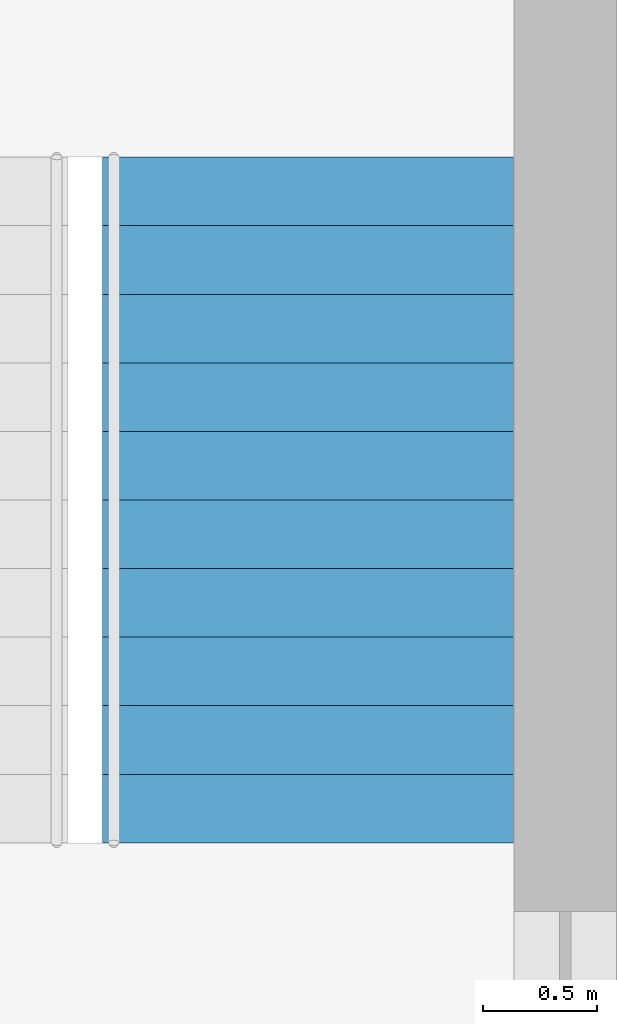
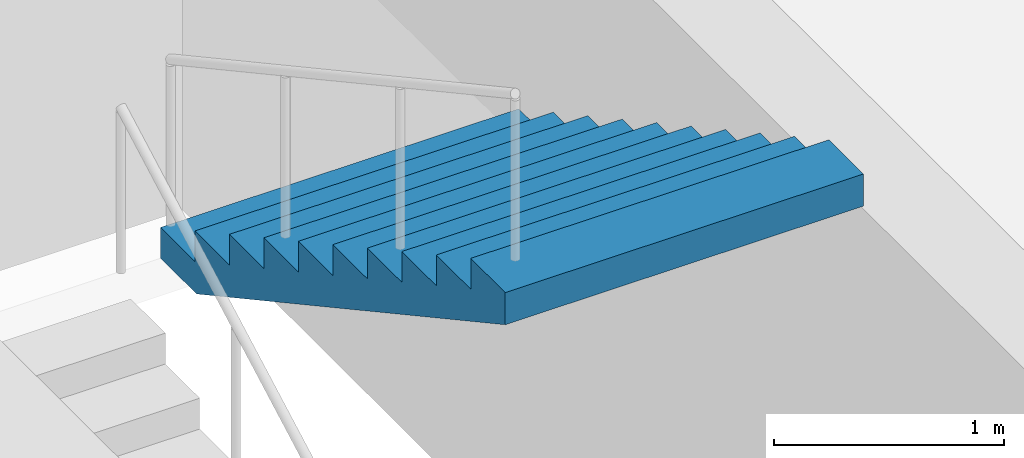
# One storey, part 16 of 17: 1 stair flight, 1 element without a shape of its own.
"""IFC4 building model written with IfcOpenShell, lengths in metres."""

from ifc_helpers import new_model, si_unit, direction, frame, origin, place, context, subcontext, project, spatial, polyline, outline, extrude, material, type_object, element, aggregate, save


model = new_model("IFC4")

# Units and contexts
model_context = context("Model", 3, precision=1e-05, world=origin(), true_north=direction((0.0, 1.0)))
body_context = subcontext(model_context, "Body", "Model", "MODEL_VIEW")
ifc_project = project(units=[si_unit("LENGTHUNIT", "METRE"), si_unit("AREAUNIT", "SQUARE_METRE"), si_unit("VOLUMEUNIT", "CUBIC_METRE"), si_unit("PLANEANGLEUNIT", "RADIAN"), si_unit("MASSUNIT", "GRAM", prefix="KILO")], contexts=[model_context])

# Site, building, storey
site_placement = place(None, origin())
site = spatial("IfcSite", under=ifc_project, at=site_placement, CompositionType="ELEMENT")
building_placement = place(site_placement, origin())
building = spatial("IfcBuilding", under=site, at=building_placement, Name="Dunama Terrace Hotel", CompositionType="ELEMENT")
storey_placement = place(building_placement, frame((0.0, 0.0, 63.0)))
storey = spatial("IfcBuildingStorey", under=building, at=storey_placement, Name="L15", CompositionType="ELEMENT", Elevation=63.0)

# Stair, stair flight
ifc_material_1 = material(Name="Concrete C40/50", Category="concrete")
stair_type = type_object("IfcStairType", Name="Stair ST1-3600-1800", PredefinedType="HALF_TURN_STAIR", material=ifc_material_1)
stair_placement = place(storey_placement, origin())
stair = element("IfcStair", 1, at=stair_placement, inside=storey, type_object=stair_type, Name="Stair ST1 L15", PredefinedType="HALF_TURN_STAIR")
ifc_material_2 = material(Name="Concrete C40/50", Category="concrete")
stair_flight_type = type_object("IfcStairFlightType", Name="Stair flight ST1-3600-1800", PredefinedType="STRAIGHT", material=ifc_material_2)
stair_flight_placement = place(storey_placement, frame((28.27490234375, 38.625, 1.800048828125), z_axis=(0.0, 0.0, 1.0), x_axis=(0.0, -1.0, 0.0)))
stair_flight = element("IfcStairFlight", 2, at=stair_flight_placement, type_object=stair_flight_type, Name="ST1 flight 2", NumberOfRisers=11, NumberOfTreads=10, PredefinedType="STRAIGHT", RiserHeight=0.163636364, TreadLength=0.3, context=body_context, shape_type="SweptSolid", body=[
    extrude(outline(polyline([(0.0, 0.0), (0.0, 0.16357421875), (0.300048828125, 0.16357421875), (0.300048828125, 0.327392578125), (0.60009765625, 0.327392578125), (0.60009765625, 0.490966796875), (0.89990234375, 0.490966796875), (0.89990234375, 0.654541015625), (1.199951171875, 0.654541015625), (1.199951171875, 0.818115234375), (1.5, 0.818115234375), (1.5, 0.98193359375), (1.800048828125, 0.98193359375), (1.800048828125, 1.1455078125), (2.10009765625, 1.1455078125), (2.10009765625, 1.30908203125), (2.39990234375, 1.30908203125), (2.39990234375, 1.47265625), (2.699951171875, 1.47265625), (2.699951171875, 1.636474609375), (3.0, 1.636474609375), (3.0, 1.800048828125), (3.0, 1.465576171875), (0.31298828125, 0.0), (0.0, 0.0)])), frame((0.0, 0.89990234375, 0.0), z_axis=(0.0, -1.0, 0.0), x_axis=(1.0, 0.0, 0.0)), (0.0, 0.0, 1.0), 1.800048828125),
])
aggregate(stair, [stair_flight])

save(model, "model.ifc")
